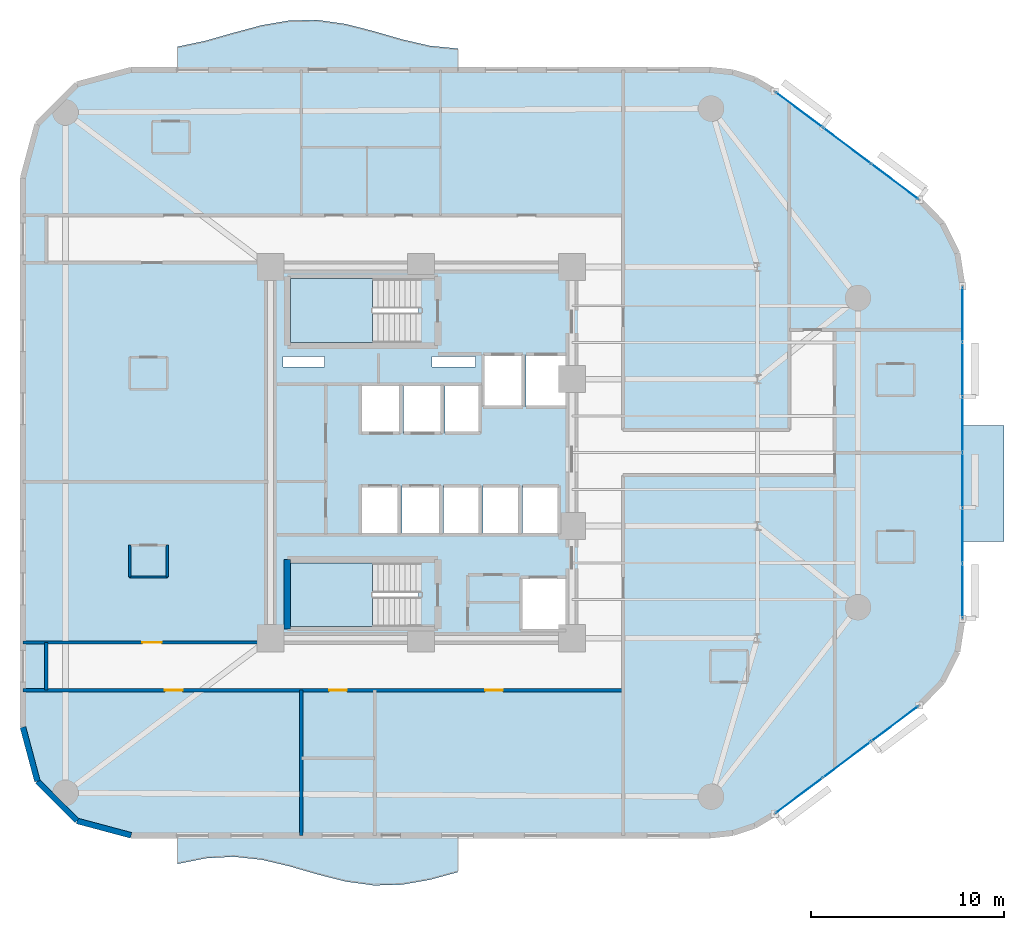
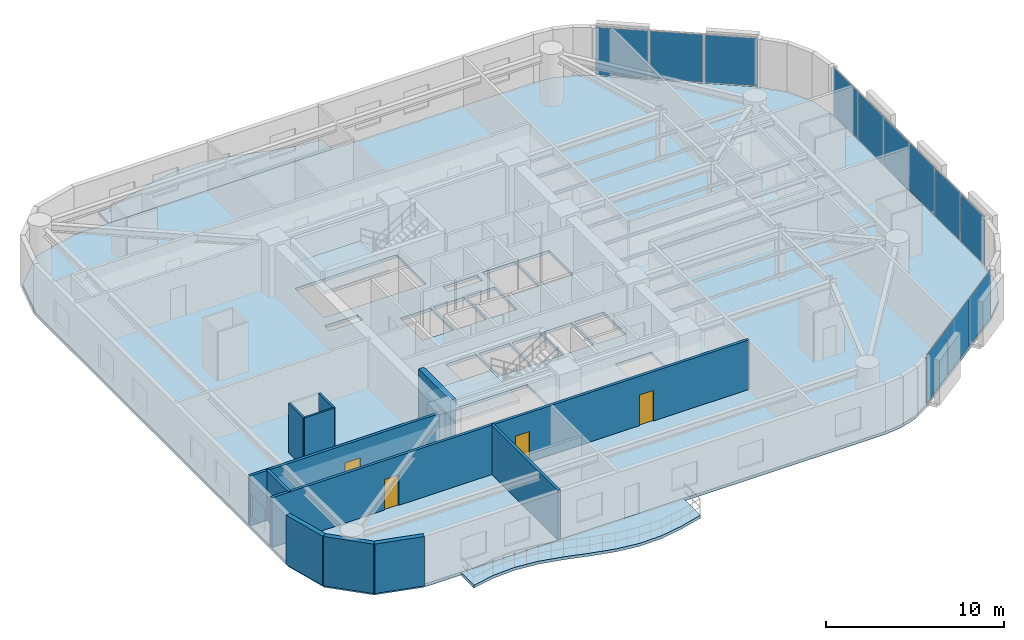
# One storey, part 9 of 16: 12 plates, 11 walls, 6 slabs, 4 doors, 4 openings, 5 elements without a shape of their own.
"""IFC4 building model written with IfcOpenShell, lengths in metres."""

from ifc_helpers import new_model, si_unit, direction, frame, frame_2d, origin, origin_2d, place, context, subcontext, project, spatial, polyline, rectangle, outline, extrude, material, layer, layer_set, type_object, element, fill, aggregate, save


model = new_model("IFC4")

# Units and contexts
model_context = context("Model", 3, precision=1e-05, world=origin(), true_north=direction((0.0, 1.0)))
body_context = subcontext(model_context, "Body", "Model", "MODEL_VIEW")
ifc_project = project(units=[si_unit("LENGTHUNIT", "METRE"), si_unit("AREAUNIT", "SQUARE_METRE"), si_unit("VOLUMEUNIT", "CUBIC_METRE"), si_unit("PLANEANGLEUNIT", "RADIAN"), si_unit("MASSUNIT", "GRAM", prefix="KILO")], contexts=[model_context])

# Site, building, storey
site_placement = place(None, origin())
site = spatial("IfcSite", under=ifc_project, at=site_placement, CompositionType="ELEMENT")
building_placement = place(site_placement, origin())
building = spatial("IfcBuilding", under=site, at=building_placement, Name="An Khanh Terracotta Commons", CompositionType="ELEMENT")
storey_placement = place(building_placement, frame((0.0, 0.0, 107.89990234375)))
storey = spatial("IfcBuildingStorey", under=building, at=storey_placement, Name="L28", CompositionType="ELEMENT", Elevation=107.89990234375)

# Curtain wall, plates
ifc_material_1 = material(Name="Anodised Aluminium 6063-T6", Category="aluminium")
ifc_layer_1 = layer(ifc_material_1, 0.199951171875, Name="Anodised Aluminium 6063-T6")
ifc_layer_set_1 = layer_set([ifc_layer_1], Name="Anodised Aluminium 6063-T6")
curtain_wall_type = type_object("IfcCurtainWallType", Name="CW-SYS-02", PredefinedType="USERDEFINED", material=ifc_layer_set_1)
curtain_wall_1_placement = place(storey_placement, origin())
curtain_wall_1 = element("IfcCurtainWall", 1, at=curtain_wall_1_placement, inside=storey, type_object=curtain_wall_type, Name="L28 CW-02 Unitised Curtain Wall CW-L28-08", ObjectType="UNITISED CURTAIN WALL", PredefinedType="USERDEFINED")
ifc_material_2 = material(Name="Double Low-E Solar Control Glazing", Category="glass")
ifc_layer_2 = layer(ifc_material_2, 0.028076171875, Name="Double Low-E Solar Control Glazing")
ifc_layer_set_2 = layer_set([ifc_layer_2], Name="Double Low-E Solar Control Glazing")
plate_type = type_object("IfcPlateType", Name="CWP-IGU-28", PredefinedType="CURTAIN_PANEL", material=ifc_layer_set_2)
plate_1_placement = place(storey_placement, frame((48.951416015625, 6.263916015625, 0.06005859375), z_axis=(0.0, 0.0, 1.0), x_axis=(0.800012856594, 0.599982857492, 0.0)))
plate_1 = element("IfcPlate", 2, at=plate_1_placement, type_object=plate_type, Name="CW-02 panel 1.1", PredefinedType="CURTAIN_PANEL", context=body_context, shape_type="SweptSolid", body=[
    extrude(rectangle(XDim=3.006103515625, YDim=0.028076171875, at=origin_2d()), origin(), (0.0, 0.0, 1.0), 3.280029296875),
])
plate_2_placement = place(storey_placement, frame((51.426513671875, 8.1201171875, 0.06005859375), z_axis=(0.0, 0.0, 1.0), x_axis=(0.800012856594, 0.599982857492, 0.0)))
plate_2 = element("IfcPlate", 3, at=plate_2_placement, type_object=plate_type, Name="CW-02 panel 2.1", PredefinedType="CURTAIN_PANEL", context=body_context, shape_type="SweptSolid", body=[
    extrude(rectangle(XDim=3.041259765625, YDim=0.028076171875, at=origin_2d()), origin(), (0.0, 0.0, 1.0), 3.280029296875),
])
plate_3_placement = place(storey_placement, frame((53.901611328125, 9.97607421875, 0.06005859375), z_axis=(0.0, 0.0, 1.0), x_axis=(0.800012856594, 0.599982857492, 0.0)))
plate_3 = element("IfcPlate", 4, at=plate_3_placement, type_object=plate_type, Name="CW-02 panel 3.1", PredefinedType="CURTAIN_PANEL", context=body_context, shape_type="SweptSolid", body=[
    extrude(rectangle(XDim=3.006103515625, YDim=0.028076171875, at=origin_2d()), origin(), (0.0, 0.0, 1.0), 3.280029296875),
])
aggregate(curtain_wall_1, [plate_1, plate_2, plate_3])

curtain_wall_2_placement = place(storey_placement, origin())
curtain_wall_2 = element("IfcCurtainWall", 5, at=curtain_wall_2_placement, inside=storey, type_object=curtain_wall_type, Name="L28 CW-02 Unitised Curtain Wall CW-L28-12", ObjectType="UNITISED CURTAIN WALL", PredefinedType="USERDEFINED")
plate_4_placement = place(storey_placement, frame((57.39990234375, 16.850830078125, 0.06005859375), z_axis=(0.0, 0.0, 1.0), x_axis=(0.0, 1.0, 0.0)))
plate_4 = element("IfcPlate", 6, at=plate_4_placement, type_object=plate_type, Name="CW-02 panel 1.1", PredefinedType="CURTAIN_PANEL", context=body_context, shape_type="SweptSolid", body=[
    extrude(rectangle(XDim=2.76171875, YDim=0.028076171875, at=origin_2d()), origin(), (0.0, 0.0, 1.0), 3.280029296875),
])
plate_5_placement = place(storey_placement, frame((57.39990234375, 19.699951171875, 0.06005859375), z_axis=(0.0, 0.0, 1.0), x_axis=(0.0, 1.0, 0.0)))
plate_5 = element("IfcPlate", 7, at=plate_5_placement, type_object=plate_type, Name="CW-02 panel 2.1", PredefinedType="CURTAIN_PANEL", context=body_context, shape_type="SweptSolid", body=[
    extrude(rectangle(XDim=2.796630859375, YDim=0.028076171875, at=origin_2d()), origin(), (0.0, 0.0, 1.0), 3.280029296875),
])
plate_6_placement = place(storey_placement, frame((57.39990234375, 22.566650390625, 0.06005859375), z_axis=(0.0, 0.0, 1.0), x_axis=(0.0, 1.0, 0.0)))
plate_6 = element("IfcPlate", 8, at=plate_6_placement, type_object=plate_type, Name="CW-02 panel 3.1", PredefinedType="CURTAIN_PANEL", context=body_context, shape_type="SweptSolid", body=[
    extrude(rectangle(XDim=2.796630859375, YDim=0.028076171875, at=origin_2d()), origin(), (0.0, 0.0, 1.0), 3.280029296875),
])
plate_7_placement = place(storey_placement, frame((57.39990234375, 25.433349609375, 0.06005859375), z_axis=(0.0, 0.0, 1.0), x_axis=(0.0, 1.0, 0.0)))
plate_7 = element("IfcPlate", 9, at=plate_7_placement, type_object=plate_type, Name="CW-02 panel 4.1", PredefinedType="CURTAIN_PANEL", context=body_context, shape_type="SweptSolid", body=[
    extrude(rectangle(XDim=2.796630859375, YDim=0.028076171875, at=origin_2d()), origin(), (0.0, 0.0, 1.0), 3.280029296875),
])
plate_8_placement = place(storey_placement, frame((57.39990234375, 28.300048828125, 0.06005859375), z_axis=(0.0, 0.0, 1.0), x_axis=(0.0, 1.0, 0.0)))
plate_8 = element("IfcPlate", 10, at=plate_8_placement, type_object=plate_type, Name="CW-02 panel 5.1", PredefinedType="CURTAIN_PANEL", context=body_context, shape_type="SweptSolid", body=[
    extrude(rectangle(XDim=2.796630859375, YDim=0.028076171875, at=origin_2d()), origin(), (0.0, 0.0, 1.0), 3.280029296875),
])
plate_9_placement = place(storey_placement, frame((57.39990234375, 31.149169921875, 0.06005859375), z_axis=(0.0, 0.0, 1.0), x_axis=(0.0, 1.0, 0.0)))
plate_9 = element("IfcPlate", 11, at=plate_9_placement, type_object=plate_type, Name="CW-02 panel 6.1", PredefinedType="CURTAIN_PANEL", context=body_context, shape_type="SweptSolid", body=[
    extrude(rectangle(XDim=2.76171875, YDim=0.028076171875, at=origin_2d()), origin(), (0.0, 0.0, 1.0), 3.280029296875),
])
aggregate(curtain_wall_2, [plate_4, plate_5, plate_6, plate_7, plate_8, plate_9])

curtain_wall_3_placement = place(storey_placement, origin())
curtain_wall_3 = element("IfcCurtainWall", 12, at=curtain_wall_3_placement, inside=storey, type_object=curtain_wall_type, Name="L28 CW-02 Unitised Curtain Wall CW-L28-16", ObjectType="UNITISED CURTAIN WALL", PredefinedType="USERDEFINED")
plate_10_placement = place(storey_placement, frame((53.901611328125, 38.02392578125, 0.06005859375), z_axis=(0.0, 0.0, 1.0), x_axis=(-0.800012856594, 0.599982857492, 0.0)))
plate_10 = element("IfcPlate", 13, at=plate_10_placement, type_object=plate_type, Name="CW-02 panel 1.1", PredefinedType="CURTAIN_PANEL", context=body_context, shape_type="SweptSolid", body=[
    extrude(rectangle(XDim=3.006103515625, YDim=0.028076171875, at=origin_2d()), origin(), (0.0, 0.0, 1.0), 3.280029296875),
])
plate_11_placement = place(storey_placement, frame((51.426513671875, 39.8798828125, 0.06005859375), z_axis=(0.0, 0.0, 1.0), x_axis=(-0.800012856594, 0.599982857492, 0.0)))
plate_11 = element("IfcPlate", 14, at=plate_11_placement, type_object=plate_type, Name="CW-02 panel 2.1", PredefinedType="CURTAIN_PANEL", context=body_context, shape_type="SweptSolid", body=[
    extrude(rectangle(XDim=3.041259765625, YDim=0.028076171875, at=origin_2d()), origin(), (0.0, 0.0, 1.0), 3.280029296875),
])
plate_12_placement = place(storey_placement, frame((48.951416015625, 41.736083984375, 0.06005859375), z_axis=(0.0, 0.0, 1.0), x_axis=(-0.800012856594, 0.599982857492, 0.0)))
plate_12 = element("IfcPlate", 15, at=plate_12_placement, type_object=plate_type, Name="CW-02 panel 3.1", PredefinedType="CURTAIN_PANEL", context=body_context, shape_type="SweptSolid", body=[
    extrude(rectangle(XDim=3.006103515625, YDim=0.028076171875, at=origin_2d()), origin(), (0.0, 0.0, 1.0), 3.280029296875),
])
aggregate(curtain_wall_3, [plate_10, plate_11, plate_12])

# Slabs
ifc_material_3 = material(Name="Concrete C40/50", Category="concrete")
ifc_layer_3 = layer(ifc_material_3, 0.199951171875, Name="Concrete C40/50")
ifc_layer_set_3 = layer_set([ifc_layer_3], Name="Concrete C40/50")
slab_type_1 = type_object("IfcSlabType", Name="SLAB-BALC-200", PredefinedType="FLOOR", material=ifc_layer_set_3)
slab_1_placement = place(storey_placement, frame((0.0, 0.0, -0.199951171875)))
element("IfcSlab", 16, at=slab_1_placement, inside=storey, type_object=slab_type_1, Name="L28 S Sinusoidal Wave Balcony Slab", PredefinedType="FLOOR", context=body_context, shape_type="SweptSolid", body=[
    extrude(outline(polyline([(16.800048828125, 4.199951171875), (16.800048828125, 2.72509765625), (18.25, 3.01611328125), (19.699951171875, 3.096923828125), (21.14990234375, 2.94189453125), (22.60009765625, 2.60009765625), (24.050048828125, 2.179931640625), (25.5, 1.81298828125), (26.949951171875, 1.614990234375), (28.39990234375, 1.64990234375), (29.85009765625, 1.905029296875), (31.300048828125, 2.301025390625), (31.300048828125, 4.199951171875), (16.800048828125, 4.199951171875)])), origin(), (0.0, 0.0, 1.0), 0.199951171875),
])
slab_2_placement = place(storey_placement, frame((0.0, 0.0, -0.199951171875)))
element("IfcSlab", 17, at=slab_2_placement, inside=storey, type_object=slab_type_1, Name="L28 N Sinusoidal Wave Balcony Slab", PredefinedType="FLOOR", context=body_context, shape_type="SweptSolid", body=[
    extrude(outline(polyline([(31.300048828125, 43.800048828125), (31.300048828125, 44.902099609375), (29.85009765625, 45.0458984375), (28.39990234375, 45.381103515625), (26.949951171875, 45.801025390625), (25.5, 46.173095703125), (24.050048828125, 46.3798828125), (22.60009765625, 46.35693359375), (21.14990234375, 46.110107421875), (19.699951171875, 45.718994140625), (18.25, 45.304931640625), (16.800048828125, 45.0), (16.800048828125, 43.800048828125), (31.300048828125, 43.800048828125)])), origin(), (0.0, 0.0, 1.0), 0.199951171875),
])
ifc_layer_4 = layer(ifc_material_3, 0.22998046875, Name="Concrete C40/50")
ifc_layer_set_4 = layer_set([ifc_layer_4], Name="Concrete C40/50")
slab_type_2 = type_object("IfcSlabType", Name="SLAB-BOXROOF-230", PredefinedType="ROOF", material=ifc_layer_set_4)
slab_3_placement = place(storey_placement, frame((0.0, 0.0, -0.199951171875)))
element("IfcSlab", 18, at=slab_3_placement, inside=storey, type_object=slab_type_2, Name="L28 Shifted Social Kitchen Box Closing Roof Slab (L27)", PredefinedType="ROOF", context=body_context, shape_type="SweptSolid", body=[
    extrude(outline(polyline([(57.39990234375, 19.39990234375), (59.550048828125, 19.39990234375), (59.550048828125, 25.39990234375), (57.39990234375, 25.39990234375), (57.39990234375, 19.39990234375)])), origin(), (0.0, 0.0, 1.0), 0.199951171875),
])

# Stair, slab
ifc_material_4 = material(Name="Precast concrete C40/50", Category="concrete")
stair_type = type_object("IfcStairType", Name="STAIR-CORE-1550", PredefinedType="HALF_TURN_STAIR", material=ifc_material_4)
stair_1_placement = place(storey_placement, origin())
stair_1 = element("IfcStair", 19, at=stair_1_placement, inside=storey, type_object=stair_type, Name="L28 Core Smokeproof Exit Stair ST-01", PredefinedType="HALF_TURN_STAIR")
ifc_layer_5 = layer(ifc_material_3, 0.18994140625, Name="Concrete C40/50")
ifc_layer_set_5 = layer_set([ifc_layer_5], Name="Concrete C40/50")
slab_type_3 = type_object("IfcSlabType", Name="SLAB-LANDING-190", PredefinedType="LANDING", material=ifc_layer_set_5)
slab_4_placement = place(storey_placement, frame((0.0, 0.0, 1.60009765625)))
slab_4 = element("IfcSlab", 20, at=slab_4_placement, type_object=slab_type_3, Name="ST-01 landing 1", PredefinedType="LANDING", context=body_context, shape_type="SweptSolid", body=[
    extrude(outline(polyline([(26.889892578125, 33.0), (22.64990234375, 33.0), (22.64990234375, 29.699951171875), (26.889892578125, 29.699951171875), (26.889892578125, 33.0)])), origin(), (0.0, 0.0, 1.0), 0.199951171875),
])
aggregate(stair_1, [slab_4])

stair_2_placement = place(storey_placement, origin())
stair_2 = element("IfcStair", 21, at=stair_2_placement, inside=storey, type_object=stair_type, Name="L28 Core Smokeproof Exit Stair ST-02", PredefinedType="HALF_TURN_STAIR")
slab_5_placement = place(storey_placement, frame((0.0, 0.0, 1.60009765625)))
slab_5 = element("IfcSlab", 22, at=slab_5_placement, type_object=slab_type_3, Name="ST-02 landing 1", PredefinedType="LANDING", context=body_context, shape_type="SweptSolid", body=[
    extrude(outline(polyline([(26.889892578125, 18.300048828125), (22.64990234375, 18.300048828125), (22.64990234375, 15.0), (26.889892578125, 15.0), (26.889892578125, 18.300048828125)])), origin(), (0.0, 0.0, 1.0), 0.199951171875),
])
aggregate(stair_2, [slab_5])

# Slab
ifc_layer_6 = layer(ifc_material_3, 0.199951171875, Name="Concrete C40/50")
ifc_layer_set_6 = layer_set([ifc_layer_6], Name="Concrete C40/50")
slab_type_4 = type_object("IfcSlabType", Name="SLAB-TYP-200", PredefinedType="FLOOR", material=ifc_layer_set_6)
slab_6_placement = place(storey_placement, frame((0.0, 0.0, -0.199951171875)))
element("IfcSlab", 23, at=slab_6_placement, inside=storey, type_object=slab_type_4, Name="L28 Structural Floor Slab", PredefinedType="FLOOR", context=body_context, shape_type="SweptSolid", body=[
    extrude(outline(polyline([(8.800048828125, 9.800048828125), (9.550048828125, 7.0), (11.60009765625, 4.949951171875), (14.39990234375, 4.199951171875), (44.3330078125, 4.199951171875), (45.52490234375, 4.327880859375), (46.6630859375, 4.70703125), (47.693115234375, 5.320068359375), (55.159912109375, 10.919921875), (56.364013671875, 12.154052734375), (57.135009765625, 13.696044921875), (57.39990234375, 15.39990234375), (57.39990234375, 32.60009765625), (57.135009765625, 34.303955078125), (56.364013671875, 35.845947265625), (55.159912109375, 37.080078125), (47.693115234375, 42.679931640625), (46.6630859375, 43.29296875), (45.52490234375, 43.672119140625), (44.3330078125, 43.800048828125), (14.39990234375, 43.800048828125), (11.60009765625, 43.050048828125), (9.550048828125, 41.0), (8.800048828125, 38.199951171875), (8.800048828125, 9.800048828125)]), holes=[polyline([(22.64990234375, 29.699951171875), (29.27001953125, 29.699951171875), (29.27001953125, 33.0), (22.64990234375, 33.0), (22.64990234375, 29.699951171875)]), polyline([(22.64990234375, 15.0), (29.27001953125, 15.0), (29.27001953125, 18.300048828125), (22.64990234375, 18.300048828125), (22.64990234375, 15.0)]), polyline([(32.60009765625, 26.35009765625), (34.679931640625, 26.35009765625), (34.679931640625, 29.080078125), (32.60009765625, 29.080078125), (32.60009765625, 26.35009765625)]), polyline([(34.820068359375, 26.35009765625), (36.89990234375, 26.35009765625), (36.89990234375, 29.080078125), (34.820068359375, 29.080078125), (34.820068359375, 26.35009765625)]), polyline([(34.550048828125, 14.800048828125), (36.89990234375, 14.800048828125), (36.89990234375, 17.550048828125), (34.550048828125, 17.550048828125), (34.550048828125, 14.800048828125)]), polyline([(26.320068359375, 25.0), (28.340087890625, 25.0), (28.340087890625, 27.5), (26.320068359375, 27.5), (26.320068359375, 25.0)]), polyline([(28.47998046875, 25.0), (30.5, 25.0), (30.5, 27.5), (28.47998046875, 27.5), (28.47998046875, 25.0)]), polyline([(26.280029296875, 19.800048828125), (28.280029296875, 19.800048828125), (28.280029296875, 22.300048828125), (26.280029296875, 22.300048828125), (26.280029296875, 19.800048828125)]), polyline([(28.419921875, 19.800048828125), (30.419921875, 19.800048828125), (30.419921875, 22.300048828125), (28.419921875, 22.300048828125), (28.419921875, 19.800048828125)]), polyline([(30.639892578125, 25.0), (32.4599609375, 25.0), (32.4599609375, 27.5), (30.639892578125, 27.5), (30.639892578125, 25.0)]), polyline([(30.56005859375, 19.800048828125), (32.4599609375, 19.800048828125), (32.4599609375, 22.300048828125), (30.56005859375, 22.300048828125), (30.56005859375, 19.800048828125)]), polyline([(32.60009765625, 19.800048828125), (34.5, 19.800048828125), (34.5, 22.300048828125), (32.60009765625, 22.300048828125), (32.60009765625, 19.800048828125)]), polyline([(34.639892578125, 19.800048828125), (36.5400390625, 19.800048828125), (36.5400390625, 22.300048828125), (34.639892578125, 22.300048828125), (34.639892578125, 19.800048828125)]), polyline([(22.25, 28.419921875), (24.39990234375, 28.419921875), (24.39990234375, 28.97998046875), (22.25, 28.97998046875), (22.25, 28.419921875)]), polyline([(29.949951171875, 28.419921875), (32.199951171875, 28.419921875), (32.199951171875, 28.97998046875), (29.949951171875, 28.97998046875), (29.949951171875, 28.419921875)])]), origin(), (0.0, 0.0, 1.0), 0.199951171875),
])

# Wall, openings, doors
ifc_material_5 = material(Name="Fire-Rated Gypsum Board on Steel Stud", Category="steel")
ifc_layer_7 = layer(ifc_material_5, 0.179931640625, Name="Fire-Rated Gypsum Board on Steel Stud")
ifc_layer_set_7 = layer_set([ifc_layer_7], Name="Fire-Rated Gypsum Board on Steel Stud")
wall_type_1 = type_object("IfcWallType", Name="WALL-CORR-180", PredefinedType="PARTITIONING", material=ifc_layer_set_7)
wall_1_placement = place(storey_placement, frame((8.800048828125, 11.719970703125, 0.0), z_axis=(0.0, 0.0, 1.0), x_axis=(1.0, 0.0, 0.0)))
wall_1 = element("IfcWall", 24, at=wall_1_placement, inside=storey, type_object=wall_type_1, Name="L28 Interior Partition IW-L28-E002", PredefinedType="PARTITIONING", context=body_context, shape_type="SweptSolid", body=[
    extrude(rectangle(XDim=31.050048828125, YDim=0.179931640625, at=frame_2d((15.52490234375, 0.0))), origin(), (0.0, 0.0, 1.0), 3.400146484375),
])
opening_1_placement = place(wall_1_placement, frame((15.840087890625, 0.0, 0.0)))
opening_1 = element("IfcOpeningElement", 25, at=opening_1_placement, cuts=wall_1, Name="Opening D-RM", PredefinedType="OPENING", context=body_context, shape_type="SweptSolid", body=[
    extrude(rectangle(XDim=0.919921875, YDim=2.10009765625, at=frame_2d((0.4599609375, 1.050048828125))), frame((0.0, 0.099853515625, 0.0), z_axis=(0.0, -1.0, 0.0), x_axis=(1.0, 0.0, 0.0)), (0.0, 0.0, 1.0), 0.199951171875),
])
opening_2_placement = place(wall_1_placement, frame((7.340087890625, 0.0, 0.0)))
opening_2 = element("IfcOpeningElement", 26, at=opening_2_placement, cuts=wall_1, Name="Opening D-RM", PredefinedType="OPENING", context=body_context, shape_type="SweptSolid", body=[
    extrude(rectangle(XDim=0.919921875, YDim=2.10009765625, at=frame_2d((0.4599609375, 1.050048828125))), frame((0.0, 0.099853515625, 0.0), z_axis=(0.0, -1.0, 0.0), x_axis=(1.0, 0.0, 0.0)), (0.0, 0.0, 1.0), 0.199951171875),
])
opening_3_placement = place(wall_1_placement, frame((23.905029296875, 0.0, 0.0)))
opening_3 = element("IfcOpeningElement", 27, at=opening_3_placement, cuts=wall_1, Name="Opening D-RM", PredefinedType="OPENING", context=body_context, shape_type="SweptSolid", body=[
    extrude(rectangle(XDim=0.919921875, YDim=2.10009765625, at=frame_2d((0.4599609375, 1.050048828125))), frame((0.0, 0.099853515625, 0.0), z_axis=(0.0, -1.0, 0.0), x_axis=(1.0, 0.0, 0.0)), (0.0, 0.0, 1.0), 0.199951171875),
])
ifc_material_6 = material(Name="Engineered Hardwood Timber Leaf", Category="wood")
door_type_1 = type_object("IfcDoorType", Name="DOOR-INT-920", OperationType="NOTDEFINED", PredefinedType="DOOR", material=ifc_material_6)
door_1_placement = place(opening_1_placement, origin())
door_1 = element("IfcDoor", 28, at=door_1_placement, inside=storey, type_object=door_type_1, Name="L28 HKP Housekeeping Linen Store Door", OperationType="SINGLE_SWING_LEFT", OverallHeight=2.10009765625, OverallWidth=0.919921875, PredefinedType="DOOR", context=body_context, shape_type="SweptSolid", body=[
    extrude(rectangle(XDim=0.919921875, YDim=2.10009765625, at=frame_2d((0.4599609375, 1.050048828125))), frame((0.0, 0.02490234375, 0.0), z_axis=(0.0, -1.0, 0.0), x_axis=(1.0, 0.0, 0.0)), (0.0, 0.0, 1.0), 0.050048828125),
])
fill(opening_1, door_1)
door_2_placement = place(opening_2_placement, origin())
door_2 = element("IfcDoor", 29, at=door_2_placement, inside=storey, type_object=door_type_1, Name="L28 SW1 Research Study Office Door", OperationType="SINGLE_SWING_LEFT", OverallHeight=2.10009765625, OverallWidth=0.919921875, PredefinedType="DOOR", context=body_context, shape_type="SweptSolid", body=[
    extrude(rectangle(XDim=0.919921875, YDim=2.10009765625, at=frame_2d((0.4599609375, 1.050048828125))), frame((0.0, 0.02490234375, 0.0), z_axis=(0.0, -1.0, 0.0), x_axis=(1.0, 0.0, 0.0)), (0.0, 0.0, 1.0), 0.050048828125),
])
fill(opening_2, door_2)
door_3_placement = place(opening_3_placement, origin())
door_3 = element("IfcDoor", 30, at=door_3_placement, inside=storey, type_object=door_type_1, Name="L28 SWE Communal Kitchen and Dining Door", OperationType="SINGLE_SWING_RIGHT", OverallHeight=2.10009765625, OverallWidth=0.919921875, PredefinedType="DOOR", context=body_context, shape_type="SweptSolid", body=[
    extrude(rectangle(XDim=0.919921875, YDim=2.10009765625, at=frame_2d((0.4599609375, 1.050048828125))), frame((0.0, 0.02490234375, 0.0), z_axis=(0.0, -1.0, 0.0), x_axis=(1.0, 0.0, 0.0)), (0.0, 0.0, 1.0), 0.050048828125),
])
fill(opening_3, door_3)

# Wall, opening, door
wall_2_placement = place(storey_placement, frame((8.800048828125, 14.179931640625, 0.0), z_axis=(0.0, 0.0, 1.0), x_axis=(1.0, 0.0, 0.0)))
wall_2 = element("IfcWall", 31, at=wall_2_placement, inside=storey, type_object=wall_type_1, Name="L28 Interior Partition IW-L28-E003", PredefinedType="PARTITIONING", context=body_context, shape_type="SweptSolid", body=[
    extrude(rectangle(XDim=12.679931640625, YDim=0.179931640625, at=frame_2d((6.33984375, 0.0))), origin(), (0.0, 0.0, 1.0), 3.400146484375),
])
opening_4_placement = place(wall_2_placement, frame((6.179931640625, 0.0, 0.0)))
opening_4 = element("IfcOpeningElement", 32, at=opening_4_placement, cuts=wall_2, Name="Opening D-UN", PredefinedType="OPENING", context=body_context, shape_type="SweptSolid", body=[
    extrude(rectangle(XDim=1.0, YDim=2.14990234375, at=frame_2d((0.5, 1.074951171875))), frame((0.0, 0.099853515625, 0.0), z_axis=(0.0, -1.0, 0.0), x_axis=(1.0, 0.0, 0.0)), (0.0, 0.0, 1.0), 0.199951171875),
])
ifc_material_7 = material(Name="Solid-Core Hardwood Acoustic Fire Door", Category="wood")
door_type_2 = type_object("IfcDoorType", Name="DOOR-UNIT-1000", OperationType="NOTDEFINED", PredefinedType="DOOR", material=ifc_material_7)
door_4_placement = place(opening_4_placement, origin())
door_4 = element("IfcDoor", 33, at=door_4_placement, inside=storey, type_object=door_type_2, Name="L28 WW1 Kitchenette and Studio Apartment Door", OperationType="SINGLE_SWING_LEFT", OverallHeight=2.14990234375, OverallWidth=1.0, PredefinedType="DOOR", context=body_context, shape_type="SweptSolid", body=[
    extrude(rectangle(XDim=1.0, YDim=2.14990234375, at=frame_2d((0.5, 1.074951171875))), frame((0.0, 0.02490234375, 0.0), z_axis=(0.0, -1.0, 0.0), x_axis=(1.0, 0.0, 0.0)), (0.0, 0.0, 1.0), 0.050048828125),
])
fill(opening_4, door_4)

# Walls
wall_3_placement = place(storey_placement, frame((10.0, 11.719970703125, 0.0), z_axis=(0.0, 0.0, 1.0), x_axis=(0.0, 1.0, 0.0)))
element("IfcWall", 34, at=wall_3_placement, inside=storey, type_object=wall_type_1, Name="L28 Interior Partition IW-L28-E012", PredefinedType="PARTITIONING", context=body_context, shape_type="SweptSolid", body=[
    extrude(rectangle(XDim=2.4599609375, YDim=0.179931640625, at=frame_2d((1.22998046875, 0.0))), origin(), (0.0, 0.0, 1.0), 3.400146484375),
])
wall_4_placement = place(storey_placement, frame((23.199951171875, 4.199951171875, 0.0), z_axis=(0.0, 0.0, 1.0), x_axis=(0.0, 1.0, 0.0)))
element("IfcWall", 35, at=wall_4_placement, inside=storey, type_object=wall_type_1, Name="L28 Interior Partition IW-L28-E014", PredefinedType="PARTITIONING", context=body_context, shape_type="SweptSolid", body=[
    extrude(rectangle(XDim=7.52001953125, YDim=0.179931640625, at=frame_2d((3.760009765625, 0.0))), origin(), (0.0, 0.0, 1.0), 3.400146484375),
])
ifc_layer_8 = layer(ifc_material_4, 0.300048828125, Name="Precast concrete C40/50")
ifc_layer_set_8 = layer_set([ifc_layer_8], Name="Precast concrete C40/50")
wall_type_2 = type_object("IfcWallType", Name="WALL-EXT-300", PredefinedType="SOLIDWALL", material=ifc_layer_set_8)
wall_5_placement = place(storey_placement, frame((8.800048828125, 9.800048828125, 0.0), z_axis=(0.0, 0.0, 1.0), x_axis=(0.258731875344, -0.96594917914, 0.0)))
element("IfcWall", 36, at=wall_5_placement, inside=storey, type_object=wall_type_2, Name="L28 Insulated Terracotta Exterior Wall 1", PredefinedType="SOLIDWALL", context=body_context, shape_type="SweptSolid", body=[
    extrude(rectangle(XDim=2.898681640625, YDim=0.300048828125, at=frame_2d((1.44921875, 0.0))), origin(), (0.0, 0.0, 1.0), 3.400146484375),
])
wall_6_placement = place(storey_placement, frame((9.550048828125, 7.0, 0.0), z_axis=(0.0, 0.0, 1.0), x_axis=(0.707106781187, -0.707106781187, 0.0)))
element("IfcWall", 37, at=wall_6_placement, inside=storey, type_object=wall_type_2, Name="L28 Insulated Terracotta Exterior Wall 2", PredefinedType="SOLIDWALL", context=body_context, shape_type="SweptSolid", body=[
    extrude(rectangle(XDim=2.899169921875, YDim=0.300048828125, at=frame_2d((1.44970703125, 0.0))), origin(), (0.0, 0.0, 1.0), 3.400146484375),
])
wall_7_placement = place(storey_placement, frame((11.60009765625, 4.949951171875, 0.0), z_axis=(0.0, 0.0, 1.0), x_axis=(0.965943540406, -0.258752926066, 0.0)))
element("IfcWall", 38, at=wall_7_placement, inside=storey, type_object=wall_type_2, Name="L28 Insulated Terracotta Exterior Wall 3", PredefinedType="SOLIDWALL", context=body_context, shape_type="SweptSolid", body=[
    extrude(rectangle(XDim=2.8984375, YDim=0.300048828125, at=frame_2d((1.44921875, 0.0))), origin(), (0.0, 0.0, 1.0), 3.400146484375),
])
ifc_material_8 = material(Name="Concrete C50/60", Category="concrete")
ifc_layer_9 = layer(ifc_material_8, 0.35009765625, Name="Concrete C50/60")
ifc_layer_set_9 = layer_set([ifc_layer_9], Name="Concrete C50/60")
wall_type_3 = type_object("IfcWallType", Name="WALL-SHAFT-350", PredefinedType="SOLIDWALL", material=ifc_layer_set_9)
wall_8_placement = place(storey_placement, frame((22.47998046875, 14.889892578125, 0.0), z_axis=(0.0, 0.0, 1.0), x_axis=(0.0, 1.0, 0.0)))
element("IfcWall", 39, at=wall_8_placement, inside=storey, type_object=wall_type_3, Name="L28 Core Wall STW-L28-S-W", PredefinedType="SOLIDWALL", context=body_context, shape_type="SweptSolid", body=[
    extrude(rectangle(XDim=3.580078125, YDim=0.35009765625, at=frame_2d((1.7900390625, 0.0))), origin(), (0.0, 0.0, 1.0), 3.400146484375),
])
ifc_material_9 = material(Name="Moisture-Resistant Cement Board Partition")
ifc_layer_10 = layer(ifc_material_9, 0.1201171875, Name="Moisture-Resistant Cement Board Partition")
ifc_layer_set_10 = layer_set([ifc_layer_10], Name="Moisture-Resistant Cement Board Partition")
wall_type_4 = type_object("IfcWallType", Name="WALL-WET-120", PredefinedType="PARTITIONING", material=ifc_layer_set_10)
wall_9_placement = place(storey_placement, frame((16.27490234375, 17.56494140625, 0.0), z_axis=(0.0, 0.0, 1.0), x_axis=(-1.0, 0.0, 0.0)))
element("IfcWall", 40, at=wall_9_placement, inside=storey, type_object=wall_type_4, Name="L28 Interior Partition IW-L28-WW1-BS", PredefinedType="PARTITIONING", context=body_context, shape_type="SweptSolid", body=[
    extrude(rectangle(XDim=1.949951171875, YDim=0.1201171875, at=frame_2d((0.97509765625, 0.0))), origin(), (0.0, 0.0, 1.0), 3.400146484375),
])
for number, where, z_axis, x_axis, name in (
    (41, (14.324951171875, 19.215087890625, 0.0), (0.0, 0.0, 1.0), (0.0, -1.0, 0.0), "L28 Interior Partition IW-L28-WW1-BW"),
    (42, (16.27490234375, 17.56494140625, 0.0), (0.0, 0.0, 1.0), (0.0, 1.0, 0.0), "L28 Interior Partition IW-L28-WW1-BE"),
):
    element("IfcWall", number, at=place(storey_placement, frame(where, z_axis=z_axis, x_axis=x_axis)), inside=storey, type_object=wall_type_4, Name=name, PredefinedType="PARTITIONING", context=body_context, shape_type="SweptSolid", body=[
        extrude(rectangle(XDim=1.650146484375, YDim=0.1201171875, at=frame_2d((0.8251953125, 0.0))), origin(), (0.0, 0.0, 1.0), 3.400146484375),
    ])

save(model, "model.ifc")
